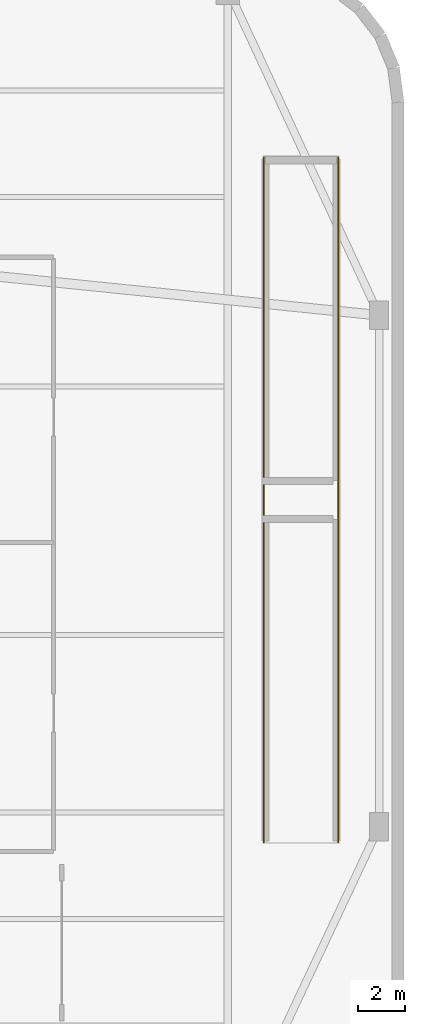
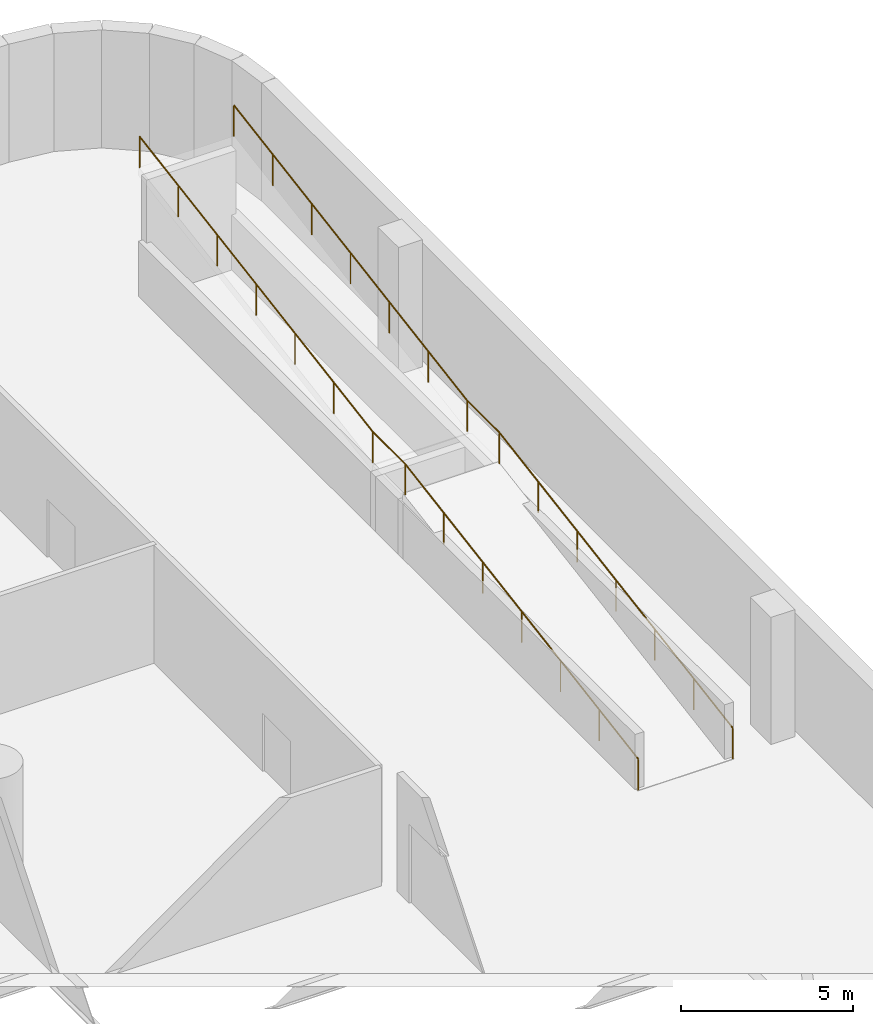
# One storey, part 8 of 8: 2 railings.
"""IFC4 building model written with IfcOpenShell, lengths in metres."""

from ifc_helpers import new_model, si_unit, direction, frame, origin, origin_2d, place, context, subcontext, project, spatial, circle, extrude, material, type_object, element, save


model = new_model("IFC4")

# Units and contexts
model_context = context("Model", 3, precision=1e-05, world=origin(), true_north=direction((0.0, 1.0)))
body_context = subcontext(model_context, "Body", "Model", "MODEL_VIEW")
ifc_project = project(units=[si_unit("LENGTHUNIT", "METRE"), si_unit("AREAUNIT", "SQUARE_METRE"), si_unit("VOLUMEUNIT", "CUBIC_METRE"), si_unit("PLANEANGLEUNIT", "RADIAN"), si_unit("MASSUNIT", "GRAM", prefix="KILO")], contexts=[model_context])

# Site, building, storey
site_placement = place(None, origin())
site = spatial("IfcSite", under=ifc_project, at=site_placement, CompositionType="ELEMENT")
building_placement = place(site_placement, origin())
building = spatial("IfcBuilding", under=site, at=building_placement, Name="Varnelok Gate Tower", CompositionType="ELEMENT")
storey_placement = place(building_placement, frame((0.0, 0.0, -4.5)))
storey = spatial("IfcBuildingStorey", under=building, at=storey_placement, Name="B01", CompositionType="ELEMENT", Elevation=-4.5)

# Railings
ifc_material = material(Name="Galvanized Steel Grade S350GD", Category="steel")
railing_type = type_object("IfcRailingType", Name="RL-STAIR-GUARD1120", PredefinedType="GUARDRAIL", material=ifc_material)
railing_1_placement = place(storey_placement, frame((72.719970703125, 13.739990234375, 0.0)))
element("IfcRailing", 1, at=railing_1_placement, inside=storey, type_object=railing_type, Name="B01 Vehicle Ramp VR-2 Rising Guardrail W", PredefinedType="GUARDRAIL", context=body_context, shape_type="SweptSolid", body=[
    extrude(circle(Radius=0.02392578125, at=origin_2d()), frame((0.0, 0.0, 1.09619140625), z_axis=(0.0, 0.986433372255, 0.164162121397), x_axis=(-1.0, 0.0, 0.0)), (0.0, 0.0, 1.0), 13.7060546875),
    extrude(circle(Radius=0.02392578125, at=origin_2d()), frame((0.0, 13.52001953125, 3.34619140625), z_axis=(0.0, 1.0, 0.0), x_axis=(-1.0, 0.0, 0.0)), (0.0, 0.0, 1.0), 1.8798828125),
    extrude(circle(Radius=0.02392578125, at=origin_2d()), frame((0.0, 15.39990234375, 3.34619140625), z_axis=(0.0, 0.986433372255, 0.164162121397), x_axis=(-1.0, 0.0, 0.0)), (0.0, 0.0, 1.0), 13.7060546875),
    extrude(circle(Radius=0.02099609375, at=origin_2d()), origin(), (0.0, 0.0, 1.0), 1.072021484375),
    extrude(circle(Radius=0.02099609375, at=origin_2d()), frame((0.0, 2.25341796875, 0.375)), (0.0, 0.0, 1.0), 1.072021484375),
    extrude(circle(Radius=0.02099609375, at=origin_2d()), frame((0.0, 4.506591796875, 0.75)), (0.0, 0.0, 1.0), 1.072021484375),
    extrude(circle(Radius=0.02099609375, at=origin_2d()), frame((0.0, 6.760009765625, 1.125)), (0.0, 0.0, 1.0), 1.072021484375),
    extrude(circle(Radius=0.02099609375, at=origin_2d()), frame((0.0, 9.013427734375, 1.5)), (0.0, 0.0, 1.0), 1.072021484375),
    extrude(circle(Radius=0.02099609375, at=origin_2d()), frame((0.0, 11.2666015625, 1.875)), (0.0, 0.0, 1.0), 1.072021484375),
    extrude(circle(Radius=0.02099609375, at=origin_2d()), frame((0.0, 13.52001953125, 2.25)), (0.0, 0.0, 1.0), 1.072021484375),
    extrude(circle(Radius=0.02099609375, at=origin_2d()), frame((0.0, 15.39990234375, 2.25)), (0.0, 0.0, 1.0), 1.072021484375),
    extrude(circle(Radius=0.02099609375, at=origin_2d()), frame((0.0, 17.6533203125, 2.625)), (0.0, 0.0, 1.0), 1.072021484375),
    extrude(circle(Radius=0.02099609375, at=origin_2d()), frame((0.0, 19.906494140625, 3.0)), (0.0, 0.0, 1.0), 1.072021484375),
    extrude(circle(Radius=0.02099609375, at=origin_2d()), frame((0.0, 22.159912109375, 3.375)), (0.0, 0.0, 1.0), 1.072021484375),
    extrude(circle(Radius=0.02099609375, at=origin_2d()), frame((0.0, 24.413330078125, 3.75)), (0.0, 0.0, 1.0), 1.072021484375),
    extrude(circle(Radius=0.02099609375, at=origin_2d()), frame((0.0, 26.66650390625, 4.125)), (0.0, 0.0, 1.0), 1.072021484375),
    extrude(circle(Radius=0.02099609375, at=origin_2d()), frame((0.0, 28.919921875, 4.5)), (0.0, 0.0, 1.0), 1.072021484375),
])
railing_2_placement = place(storey_placement, frame((75.8798828125, 13.739990234375, 0.0)))
element("IfcRailing", 2, at=railing_2_placement, inside=storey, type_object=railing_type, Name="B01 Vehicle Ramp VR-2 Rising Guardrail E", PredefinedType="GUARDRAIL", context=body_context, shape_type="SweptSolid", body=[
    extrude(circle(Radius=0.02392578125, at=origin_2d()), frame((0.0, 0.0, 1.09619140625), z_axis=(0.0, 0.986433372255, 0.164162121397), x_axis=(-1.0, 0.0, 0.0)), (0.0, 0.0, 1.0), 13.7060546875),
    extrude(circle(Radius=0.02392578125, at=origin_2d()), frame((0.0, 13.52001953125, 3.34619140625), z_axis=(0.0, 1.0, 0.0), x_axis=(-1.0, 0.0, 0.0)), (0.0, 0.0, 1.0), 1.8798828125),
    extrude(circle(Radius=0.02392578125, at=origin_2d()), frame((0.0, 15.39990234375, 3.34619140625), z_axis=(0.0, 0.986433372255, 0.164162121397), x_axis=(-1.0, 0.0, 0.0)), (0.0, 0.0, 1.0), 13.7060546875),
    extrude(circle(Radius=0.02099609375, at=origin_2d()), origin(), (0.0, 0.0, 1.0), 1.072021484375),
    extrude(circle(Radius=0.02099609375, at=origin_2d()), frame((0.0, 2.25341796875, 0.375)), (0.0, 0.0, 1.0), 1.072021484375),
    extrude(circle(Radius=0.02099609375, at=origin_2d()), frame((0.0, 4.506591796875, 0.75)), (0.0, 0.0, 1.0), 1.072021484375),
    extrude(circle(Radius=0.02099609375, at=origin_2d()), frame((0.0, 6.760009765625, 1.125)), (0.0, 0.0, 1.0), 1.072021484375),
    extrude(circle(Radius=0.02099609375, at=origin_2d()), frame((0.0, 9.013427734375, 1.5)), (0.0, 0.0, 1.0), 1.072021484375),
    extrude(circle(Radius=0.02099609375, at=origin_2d()), frame((0.0, 11.2666015625, 1.875)), (0.0, 0.0, 1.0), 1.072021484375),
    extrude(circle(Radius=0.02099609375, at=origin_2d()), frame((0.0, 13.52001953125, 2.25)), (0.0, 0.0, 1.0), 1.072021484375),
    extrude(circle(Radius=0.02099609375, at=origin_2d()), frame((0.0, 15.39990234375, 2.25)), (0.0, 0.0, 1.0), 1.072021484375),
    extrude(circle(Radius=0.02099609375, at=origin_2d()), frame((0.0, 17.6533203125, 2.625)), (0.0, 0.0, 1.0), 1.072021484375),
    extrude(circle(Radius=0.02099609375, at=origin_2d()), frame((0.0, 19.906494140625, 3.0)), (0.0, 0.0, 1.0), 1.072021484375),
    extrude(circle(Radius=0.02099609375, at=origin_2d()), frame((0.0, 22.159912109375, 3.375)), (0.0, 0.0, 1.0), 1.072021484375),
    extrude(circle(Radius=0.02099609375, at=origin_2d()), frame((0.0, 24.413330078125, 3.75)), (0.0, 0.0, 1.0), 1.072021484375),
    extrude(circle(Radius=0.02099609375, at=origin_2d()), frame((0.0, 26.66650390625, 4.125)), (0.0, 0.0, 1.0), 1.072021484375),
    extrude(circle(Radius=0.02099609375, at=origin_2d()), frame((0.0, 28.919921875, 4.5)), (0.0, 0.0, 1.0), 1.072021484375),
])

save(model, "model.ifc")
